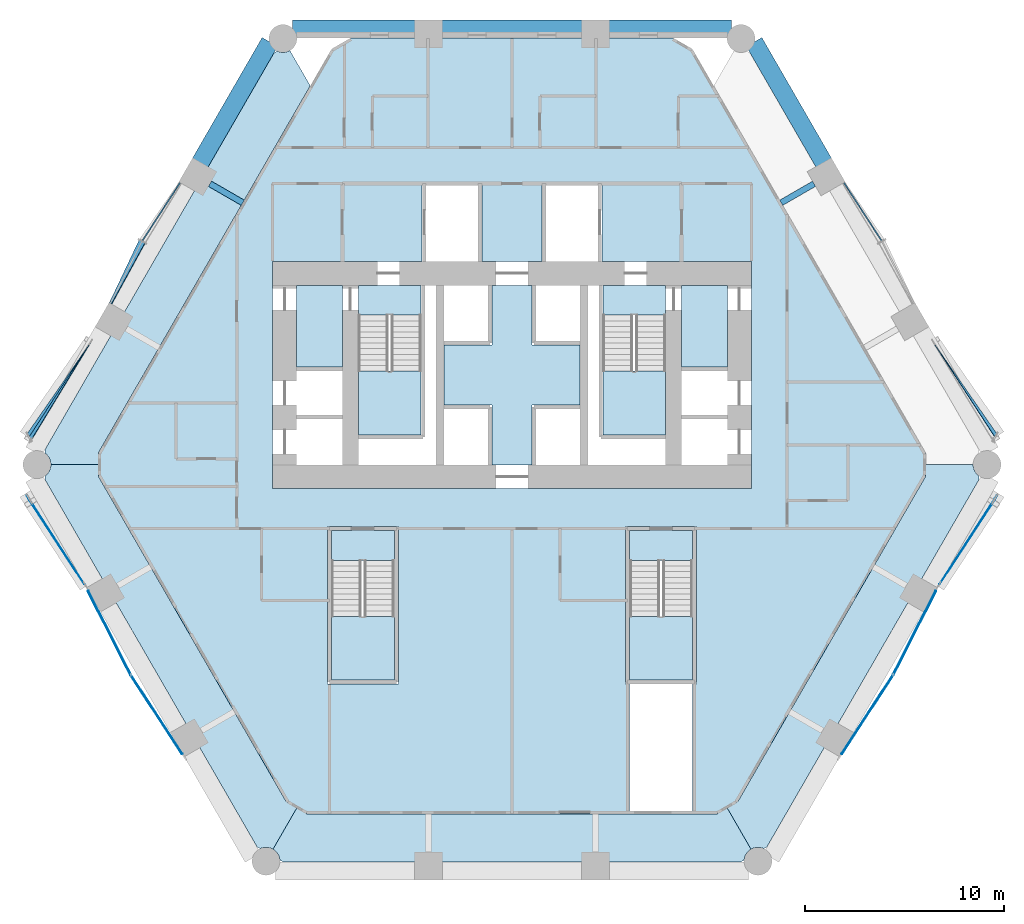
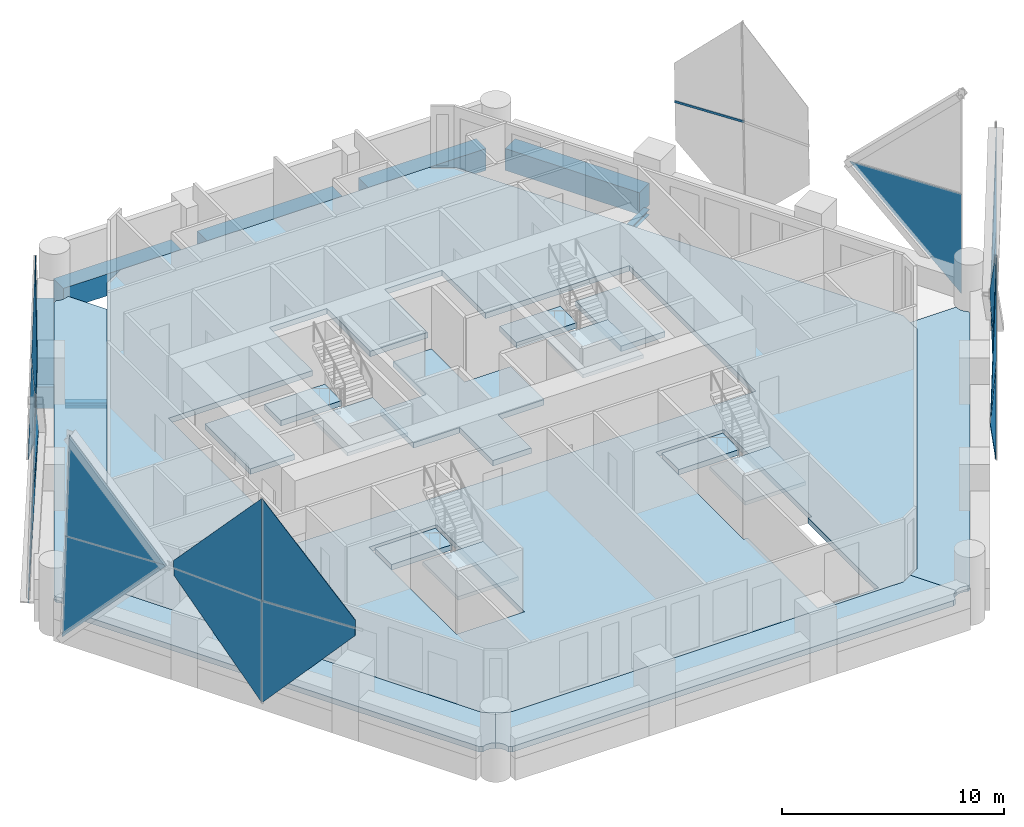
# One storey, part 7 of 16: 17 plates, 16 slabs, 7 beams, 2 members, 18 elements without a shape of their own.
"""IFC4 building model written with IfcOpenShell, lengths in metres."""

from ifc_helpers import new_model, si_unit, direction, frame, origin, origin_2d, place, context, subcontext, project, spatial, polyline, rectangle, hollow_rectangle, i_section, outline, extrude, material, layer, layer_set, material_profile, profile_set, type_object, element, aggregate, save


model = new_model("IFC4")

# Units and contexts
model_context = context("Model", 3, precision=1e-05, world=origin(), true_north=direction((0.0, 1.0)))
body_context = subcontext(model_context, "Body", "Model", "MODEL_VIEW")
ifc_project = project(units=[si_unit("LENGTHUNIT", "METRE"), si_unit("AREAUNIT", "SQUARE_METRE"), si_unit("VOLUMEUNIT", "CUBIC_METRE"), si_unit("PLANEANGLEUNIT", "RADIAN"), si_unit("MASSUNIT", "GRAM", prefix="KILO")], contexts=[model_context])

# Site, building, storey
site_placement = place(None, origin())
site = spatial("IfcSite", under=ifc_project, at=site_placement, CompositionType="ELEMENT")
building_placement = place(site_placement, origin())
building = spatial("IfcBuilding", under=site, at=building_placement, Name="Ostrander Bayou Hotel Tower", CompositionType="ELEMENT")
storey_placement = place(building_placement, frame((0.0, 0.0, 58.0)))
storey = spatial("IfcBuildingStorey", under=building, at=storey_placement, Name="L14", CompositionType="ELEMENT", Elevation=58.0)

# Curtain wall, member
ifc_material_1 = material(Name="Aluminium and clear glass", Category="aluminium")
curtain_wall_type = type_object("IfcCurtainWallType", Name="CW-LAT lattice glazing", PredefinedType="NOTDEFINED", material=ifc_material_1)
curtain_wall_1_placement = place(storey_placement, origin())
curtain_wall_1 = element("IfcCurtainWall", 1, at=curtain_wall_1_placement, inside=storey, type_object=curtain_wall_type, Name="CW-LAT L14 NW 2", PredefinedType="NOTDEFINED")
ifc_material_2 = material(Name="Aluminium", Category="aluminium")
ifc_material_profile_1 = material_profile(ifc_material_2, hollow_rectangle(XDim=0.06005859375, YDim=0.1201171875, WallThickness=0.00390625, at=origin_2d()))
ifc_profile_set_1 = profile_set([ifc_material_profile_1], Name="Aluminium")
member_type = type_object("IfcMemberType", Name="CW-LA transom 60 x 120 mm", PredefinedType="USERDEFINED", material=ifc_profile_set_1)
member_1_placement = place(storey_placement, frame((-18.54638671875, 10.707763671875, 5.02490234375), z_axis=(0.544323783397, 0.838875210522, 0.0), x_axis=(-0.838875210522, 0.544323783397, 0.0)))
member_1 = element("IfcMember", 2, at=member_1_placement, type_object=member_type, Name="CW-LAT transom 3", ObjectType="TRANSOM", PredefinedType="USERDEFINED", context=body_context, shape_type="SweptSolid", body=[
    extrude(hollow_rectangle(XDim=0.06005859375, YDim=0.1201171875, WallThickness=0.00390625, at=origin_2d()), origin(), (0.0, 0.0, 1.0), 3.500244140625),
])

curtain_wall_2_placement = place(storey_placement, origin())
curtain_wall_2 = element("IfcCurtainWall", 3, at=curtain_wall_2_placement, inside=storey, type_object=curtain_wall_type, Name="CW-LAT L14 NE 2", PredefinedType="NOTDEFINED")
member_2_placement = place(storey_placement, frame((18.54638671875, 10.707763671875, 5.02490234375), z_axis=(-0.544323783397, 0.838875210522, 0.0), x_axis=(-0.838875210522, -0.544323783397, 0.0)))
member_2 = element("IfcMember", 4, at=member_2_placement, type_object=member_type, Name="CW-LAT transom 7", ObjectType="TRANSOM", PredefinedType="USERDEFINED", context=body_context, shape_type="SweptSolid", body=[
    extrude(hollow_rectangle(XDim=0.06005859375, YDim=0.1201171875, WallThickness=0.00390625, at=origin_2d()), origin(), (0.0, 0.0, 1.0), 3.500244140625),
])
aggregate(curtain_wall_2, [member_2])

# Beams
ifc_material_3 = material(Name="Steel ASTM A992", Category="steel")
ifc_material_profile_2 = material_profile(ifc_material_3, i_section(OverallWidth=0.3046875, OverallDepth=0.307861328125, WebThickness=0.010009765625, FlangeThickness=0.015380859375, at=origin_2d()))
ifc_profile_set_2 = profile_set([ifc_material_profile_2], Name="Steel ASTM A992")
beam_type_1 = type_object("IfcBeamType", Name="LB1 loggia bracket W12x65", PredefinedType="BEAM", material=ifc_profile_set_2)
for number, where, z_axis, x_axis, name in (
    (5, (-15.14404296875, 13.587890625, -0.453857421875), (0.866044365799, -0.499967155389, 0.0), (0.499967155389, 0.866044365799, 0.0), "LB1 L14 NW1"),
    (6, (15.14404296875, 13.587890625, -0.453857421875), (-0.866044365799, -0.499967155389, 0.0), (0.499967155389, -0.866044365799, 0.0), "LB1 L14 NE2"),
):
    element("IfcBeam", number, at=place(storey_placement, frame(where, z_axis=z_axis, x_axis=x_axis)), inside=storey, type_object=beam_type_1, Name=name, PredefinedType="BEAM", context=body_context, shape_type="SweptSolid", body=[
        extrude(i_section(OverallWidth=0.3046875, OverallDepth=0.307861328125, WebThickness=0.010009765625, FlangeThickness=0.015380859375, at=origin_2d()), origin(), (0.0, 0.0, 1.0), 1.900146484375),
    ])
ifc_material_4 = material(Name="Concrete f'c 70 MPa", Category="concrete")
ifc_material_profile_3 = material_profile(ifc_material_4, rectangle(XDim=0.89990234375, YDim=1.199951171875, at=origin_2d()))
ifc_profile_set_3 = profile_set([ifc_material_profile_3], Name="Concrete f'c 70 MPa")
beam_type_2 = type_object("IfcBeamType", Name="SP1 spandrel beam 900 x 1200 mm f'c 70 MPa", PredefinedType="SPANDREL", material=ifc_profile_set_3)
beam_1_placement = place(storey_placement, frame((11.002197265625, 21.35009765625, -0.60009765625), z_axis=(-1.0, 0.0, 0.0), x_axis=(0.0, -1.0, 0.0)))
element("IfcBeam", 7, at=beam_1_placement, inside=storey, type_object=beam_type_2, Name="SP1 L14 N-1", PredefinedType="SPANDREL", context=body_context, shape_type="SweptSolid", body=[
    extrude(rectangle(XDim=0.89990234375, YDim=1.199951171875, at=origin_2d()), origin(), (0.0, 0.0, 1.0), 6.13671875),
])
beam_2_placement = place(storey_placement, frame((3.525390625, 21.35009765625, -0.60009765625), z_axis=(-1.0, 0.0, 0.0), x_axis=(0.0, -1.0, 0.0)))
element("IfcBeam", 8, at=beam_2_placement, inside=storey, type_object=beam_type_2, Name="SP1 L14 N-2", PredefinedType="SPANDREL", context=body_context, shape_type="SweptSolid", body=[
    extrude(rectangle(XDim=0.89990234375, YDim=1.199951171875, at=origin_2d()), origin(), (0.0, 0.0, 1.0), 7.05078125),
])
beam_3_placement = place(storey_placement, frame((-4.865478515625, 21.35009765625, -0.60009765625), z_axis=(-1.0, 0.0, 0.0), x_axis=(0.0, -1.0, 0.0)))
element("IfcBeam", 9, at=beam_3_placement, inside=storey, type_object=beam_type_2, Name="SP1 L14 N-3", PredefinedType="SPANDREL", context=body_context, shape_type="SweptSolid", body=[
    extrude(rectangle(XDim=0.89990234375, YDim=1.199951171875, at=origin_2d()), origin(), (0.0, 0.0, 1.0), 6.13671875),
])
for number, where, z_axis, x_axis, name in (
    (10, (-12.13818359375, 20.694091796875, -0.60009765625), (-0.500009789943, -0.866019751484, 0.0), (0.866019751484, -0.500009789943, 0.0), "SP1 L14 NW-1"),
    (11, (15.6318359375, 14.64306640625, -0.60009765625), (-0.500009789943, 0.866019751484, 0.0), (-0.866019751484, -0.500009789943, 0.0), "SP1 L14 NE-3"),
):
    element("IfcBeam", number, at=place(storey_placement, frame(where, z_axis=z_axis, x_axis=x_axis)), inside=storey, type_object=beam_type_2, Name=name, PredefinedType="SPANDREL", context=body_context, shape_type="SweptSolid", body=[
        extrude(rectangle(XDim=0.89990234375, YDim=1.199951171875, at=origin_2d()), origin(), (0.0, 0.0, 1.0), 6.987060546875),
    ])

# Curtain wall, plate
curtain_wall_3_placement = place(storey_placement, origin())
curtain_wall_3 = element("IfcCurtainWall", 12, at=curtain_wall_3_placement, inside=storey, type_object=curtain_wall_type, Name="CW-LAT L14 NW 3", PredefinedType="NOTDEFINED")
ifc_material_5 = material(Name="Clear laminated glass", Category="glass")
ifc_layer_1 = layer(ifc_material_5, 0.028076171875)
ifc_layer_set_1 = layer_set([ifc_layer_1], Name="CW-LA glazing panel 28 mm")
plate_type = type_object("IfcPlateType", Name="CW-LA glazing panel 28 mm", PredefinedType="CURTAIN_PANEL", material=ifc_layer_set_1)
plate_1_placement = place(storey_placement, frame((-20.18798828125, 7.627197265625, 2.864501953125), z_axis=(-0.890449904236, 0.454154580956, 0.029027308574), x_axis=(0.304570938034, 0.642128868332, -0.703496311405)))
plate_1 = element("IfcPlate", 13, at=plate_1_placement, type_object=plate_type, Name="CW-LAT panel 3", PredefinedType="CURTAIN_PANEL", context=body_context, shape_type="SweptSolid", body=[
    extrude(outline(polyline([(0.0, 0.0), (4.924827936993829, 0.0), (0.958271042073952, -3.9917153619783106), (-1.5211477520516903, -1.5353765067003706), (0.0, 0.0)])), origin(), (0.0, 0.0, -1.0), 0.028076171875),
])
aggregate(curtain_wall_3, [plate_1])

curtain_wall_4_placement = place(storey_placement, origin())
curtain_wall_4 = element("IfcCurtainWall", 14, at=curtain_wall_4_placement, inside=storey, type_object=curtain_wall_type, Name="CW-LAT L14 NW 4", PredefinedType="NOTDEFINED")
plate_2_placement = place(storey_placement, frame((-20.07861328125, 7.565185546875, 7.1865234375), z_axis=(-0.890450746762, 0.454150418702, 0.029066557811), x_axis=(0.340552118243, 0.622627858628, 0.704527362436)))
plate_2 = element("IfcPlate", 15, at=plate_2_placement, type_object=plate_type, Name="CW-LAT panel 4", PredefinedType="CURTAIN_PANEL", context=body_context, shape_type="SweptSolid", body=[
    extrude(outline(polyline([(0.0, 0.0), (4.915887817852404, 0.0), (0.9555384822610018, 3.9978828737748655), (-1.5228623513820005, 1.5354012039625133), (0.0, 0.0)])), origin(), (0.0, 0.0, -1.0), 0.028076171875),
])
aggregate(curtain_wall_4, [plate_2])

curtain_wall_5_placement = place(storey_placement, origin())
curtain_wall_5 = element("IfcCurtainWall", 16, at=curtain_wall_5_placement, inside=storey, type_object=curtain_wall_type, Name="CW-LAT L14 NW 1", PredefinedType="NOTDEFINED")
plate_3_placement = place(storey_placement, frame((-21.12353515625, 5.655029296875, 5.02490234375), z_axis=(-0.838537212342, 0.544023013641, 0.029904918417), x_axis=(-0.401228708939, -0.579443102872, -0.70940905947)))
plate_3 = element("IfcPlate", 17, at=plate_3_placement, type_object=plate_type, Name="CW-LAT panel 5", PredefinedType="CURTAIN_PANEL", context=body_context, shape_type="SweptSolid", body=[
    extrude(outline(polyline([(0.0, 0.0), (7.929134714186157, 0.0), (3.9955816473846104, 4.025353242106734), (0.0, 0.0)])), origin(), (0.0, 0.0, -1.0), 0.028076171875),
])
aggregate(curtain_wall_5, [plate_3])

# Plate
plate_4_placement = place(storey_placement, frame((-21.12353515625, 5.655029296875, 5.02490234375), z_axis=(-0.83853812444, 0.544023605388, 0.029868556061), x_axis=(-0.371713120223, -0.611304029252, 0.698667832431)))
plate_4 = element("IfcPlate", 18, at=plate_4_placement, type_object=plate_type, Name="CW-LAT panel 6", PredefinedType="CURTAIN_PANEL", context=body_context, shape_type="SweptSolid", body=[
    extrude(outline(polyline([(0.0, 0.0), (8.051036184717628, 0.0), (4.056065653857604, -3.9644006906785543), (0.0, 0.0)])), origin(), (0.0, 0.0, -1.0), 0.028076171875),
])

aggregate(curtain_wall_1, [member_1, plate_4])

# Curtain wall, plate
curtain_wall_6_placement = place(storey_placement, origin())
curtain_wall_6 = element("IfcCurtainWall", 19, at=curtain_wall_6_placement, inside=storey, type_object=curtain_wall_type, Name="CW-LAT L14 SW 3", PredefinedType="NOTDEFINED")
plate_5_placement = place(storey_placement, frame((-21.42626953125, -6.484619140625, 5.02490234375), z_axis=(0.838163536257, 0.545416089442, 0.001782095981), x_axis=(-0.372691399466, 0.575109830658, -0.728251195293)))
plate_5 = element("IfcPlate", 20, at=plate_5_placement, type_object=plate_type, Name="CW-LAT panel 1", PredefinedType="CURTAIN_PANEL", context=body_context, shape_type="SweptSolid", body=[
    extrude(outline(polyline([(0.0, 0.0), (7.723983202993046, 4.440892098500626e-16), (3.4982843021931385, 3.7174960999120765), (0.0, 0.0)])), origin(), (0.0, 0.0, -1.0), 0.028076171875),
])

curtain_wall_7_placement = place(storey_placement, origin())
curtain_wall_7 = element("IfcCurtainWall", 21, at=curtain_wall_7_placement, inside=storey, type_object=curtain_wall_type, Name="CW-LAT L14 SW 4", PredefinedType="NOTDEFINED")
plate_6_placement = place(storey_placement, frame((-21.42626953125, -6.484619140625, 5.02490234375), z_axis=(0.838163445048, 0.54541603009, 0.001842146979), x_axis=(-0.360077811441, 0.55080336123, 0.752967215067)))
plate_6 = element("IfcPlate", 22, at=plate_6_placement, type_object=plate_type, Name="CW-LAT panel 2", PredefinedType="CURTAIN_PANEL", context=body_context, shape_type="SweptSolid", body=[
    extrude(outline(polyline([(0.0, 0.0), (7.470444778263816, 4.440892098500626e-16), (3.3591690105541843, -3.8436641203888833), (0.0, 0.0)])), origin(), (0.0, 0.0, -1.0), 0.028076171875),
])

curtain_wall_8_placement = place(storey_placement, origin())
curtain_wall_8 = element("IfcCurtainWall", 23, at=curtain_wall_8_placement, inside=storey, type_object=curtain_wall_type, Name="CW-LAT L14 SW 1", PredefinedType="NOTDEFINED")
plate_7_placement = place(storey_placement, frame((-21.254638671875, -6.822021484375, 4.60791015625), z_axis=(-0.891452688064, -0.453113788074, 0.0), x_axis=(0.304490944311, -0.599053213435, -0.740554192686)))
plate_7 = element("IfcPlate", 24, at=plate_7_placement, type_object=plate_type, Name="CW-LAT panel 3", PredefinedType="CURTAIN_PANEL", context=body_context, shape_type="SweptSolid", body=[
    extrude(outline(polyline([(0.0, 0.0), (7.032581631342296, 0.0), (2.866964297481216, 3.77998111474596), (-0.30880531277060436, 0.2802173499993967), (0.0, 0.0)])), origin(), (0.0, 0.0, -1.0), 0.028076171875),
])
aggregate(curtain_wall_8, [plate_7])

curtain_wall_9_placement = place(storey_placement, origin())
curtain_wall_9 = element("IfcCurtainWall", 25, at=curtain_wall_9_placement, inside=storey, type_object=curtain_wall_type, Name="CW-LAT L14 SW 2", PredefinedType="NOTDEFINED")
plate_8_placement = place(storey_placement, frame((-21.254638671875, -6.822021484375, 5.442138671875), z_axis=(0.891452688064, 0.453113788074, 0.0), x_axis=(0.304498772532, -0.599068614618, 0.740538515208)))
plate_8 = element("IfcPlate", 26, at=plate_8_placement, type_object=plate_type, Name="CW-LAT panel 4", PredefinedType="CURTAIN_PANEL", context=body_context, shape_type="SweptSolid", body=[
    extrude(outline(polyline([(0.0, 0.0), (7.032400833892577, 0.0), (2.8668716858502252, 3.7800782950634186), (-0.308979570920329, 0.28038862006351484), (0.0, 0.0)])), origin(), (0.0, 0.0, -1.0), 0.028076171875),
])
aggregate(curtain_wall_9, [plate_8])

# Plate
plate_9_placement = place(storey_placement, frame((-16.53466796875, -14.997314453125, 4.609375), z_axis=(0.838148526408, 0.545442066292, 0.0), x_axis=(-0.366550772828, 0.563256868301, -0.740528346014)))
plate_9 = element("IfcPlate", 27, at=plate_9_placement, type_object=plate_type, Name="CW-LAT panel 5", PredefinedType="CURTAIN_PANEL", context=body_context, shape_type="SweptSolid", body=[
    extrude(outline(polyline([(0.0, 0.0), (7.034805195896388, -4.440892098500626e-16), (2.8693332495659156, 3.7801413286190533), (-0.3077097765909056, 0.2792448151610082), (0.0, 0.0)])), origin(), (0.0, 0.0, -1.0), 0.028076171875),
])

aggregate(curtain_wall_6, [plate_5, plate_9])

plate_10_placement = place(storey_placement, frame((-16.53466796875, -14.997314453125, 5.440673828125), z_axis=(-0.838148526408, -0.545442066292, 0.0), x_axis=(-0.36656019325, 0.563271344106, 0.740512672162)))
plate_10 = element("IfcPlate", 28, at=plate_10_placement, type_object=plate_type, Name="CW-LAT panel 6", PredefinedType="CURTAIN_PANEL", context=body_context, shape_type="SweptSolid", body=[
    extrude(outline(polyline([(0.0, 0.0), (7.03462440475645, 0.0), (2.869240623842974, 3.7802384789458667), (-0.307884052903457, 0.2794160646547227), (0.0, 0.0)])), origin(), (0.0, 0.0, -1.0), 0.028076171875),
])

aggregate(curtain_wall_7, [plate_6, plate_10])

# Curtain wall, plate
curtain_wall_10_placement = place(storey_placement, origin())
curtain_wall_10 = element("IfcCurtainWall", 29, at=curtain_wall_10_placement, inside=storey, type_object=curtain_wall_type, Name="CW-LAT L14 SE 1", PredefinedType="NOTDEFINED")
plate_11_placement = place(storey_placement, frame((16.53466796875, -14.997314453125, 4.609375), z_axis=(0.838148526408, -0.545442066292, 0.0), x_axis=(0.366550772828, 0.563256868301, -0.740528346014)))
plate_11 = element("IfcPlate", 30, at=plate_11_placement, type_object=plate_type, Name="CW-LAT panel 1", PredefinedType="CURTAIN_PANEL", context=body_context, shape_type="SweptSolid", body=[
    extrude(outline(polyline([(0.0, 0.0), (7.034805195896388, -4.440892098500626e-16), (2.8693332495659156, 3.7801413286190533), (-0.3077097765909056, 0.2792448151610082), (0.0, 0.0)])), origin(), (0.0, 0.0, -1.0), 0.028076171875),
])

curtain_wall_11_placement = place(storey_placement, origin())
curtain_wall_11 = element("IfcCurtainWall", 31, at=curtain_wall_11_placement, inside=storey, type_object=curtain_wall_type, Name="CW-LAT L14 SE 2", PredefinedType="NOTDEFINED")
plate_12_placement = place(storey_placement, frame((16.53466796875, -14.997314453125, 5.440673828125), z_axis=(-0.838148526408, 0.545442066292, 0.0), x_axis=(0.36656019325, 0.563271344106, 0.740512672162)))
plate_12 = element("IfcPlate", 32, at=plate_12_placement, type_object=plate_type, Name="CW-LAT panel 2", PredefinedType="CURTAIN_PANEL", context=body_context, shape_type="SweptSolid", body=[
    extrude(outline(polyline([(0.0, 0.0), (7.03462440475645, 0.0), (2.869240623842974, 3.7802384789458667), (-0.307884052903457, 0.2794160646547227), (0.0, 0.0)])), origin(), (0.0, 0.0, -1.0), 0.028076171875),
])

curtain_wall_12_placement = place(storey_placement, origin())
curtain_wall_12 = element("IfcCurtainWall", 33, at=curtain_wall_12_placement, inside=storey, type_object=curtain_wall_type, Name="CW-LAT L14 SE 3", PredefinedType="NOTDEFINED")
plate_13_placement = place(storey_placement, frame((21.254638671875, -6.822021484375, 4.60791015625), z_axis=(-0.891452688064, 0.453113788074, 0.0), x_axis=(-0.304490944311, -0.599053213435, -0.740554192686)))
plate_13 = element("IfcPlate", 34, at=plate_13_placement, type_object=plate_type, Name="CW-LAT panel 3", PredefinedType="CURTAIN_PANEL", context=body_context, shape_type="SweptSolid", body=[
    extrude(outline(polyline([(0.0, 0.0), (7.032581631342296, 0.0), (2.866964297481216, 3.77998111474596), (-0.30880531277060436, 0.2802173499993967), (0.0, 0.0)])), origin(), (0.0, 0.0, -1.0), 0.028076171875),
])
aggregate(curtain_wall_12, [plate_13])

curtain_wall_13_placement = place(storey_placement, origin())
curtain_wall_13 = element("IfcCurtainWall", 35, at=curtain_wall_13_placement, inside=storey, type_object=curtain_wall_type, Name="CW-LAT L14 SE 4", PredefinedType="NOTDEFINED")
plate_14_placement = place(storey_placement, frame((21.254638671875, -6.822021484375, 5.442138671875), z_axis=(0.891452688064, -0.453113788074, 0.0), x_axis=(-0.304498772532, -0.599068614618, 0.740538515208)))
plate_14 = element("IfcPlate", 36, at=plate_14_placement, type_object=plate_type, Name="CW-LAT panel 4", PredefinedType="CURTAIN_PANEL", context=body_context, shape_type="SweptSolid", body=[
    extrude(outline(polyline([(0.0, 0.0), (7.032400833892577, 0.0), (2.8668716858502252, 3.7800782950634186), (-0.308979570920329, 0.28038862006351484), (0.0, 0.0)])), origin(), (0.0, 0.0, -1.0), 0.028076171875),
])
aggregate(curtain_wall_13, [plate_14])

# Plate
plate_15_placement = place(storey_placement, frame((21.42626953125, -6.484619140625, 5.02490234375), z_axis=(-0.838163536257, 0.545416089442, 0.001782095981), x_axis=(0.372691399466, 0.575109830658, -0.728251195293)))
plate_15 = element("IfcPlate", 37, at=plate_15_placement, type_object=plate_type, Name="CW-LAT panel 5", PredefinedType="CURTAIN_PANEL", context=body_context, shape_type="SweptSolid", body=[
    extrude(outline(polyline([(0.0, 0.0), (7.723983202993046, -4.440892098500626e-16), (3.4982843021931385, -3.7174960999120765), (0.0, 0.0)])), origin(), (0.0, 0.0, -1.0), 0.028076171875),
])

aggregate(curtain_wall_10, [plate_11, plate_15])

plate_16_placement = place(storey_placement, frame((21.42626953125, -6.484619140625, 5.02490234375), z_axis=(-0.838163445048, 0.54541603009, 0.001842146979), x_axis=(0.360077811441, 0.55080336123, 0.752967215067)))
plate_16 = element("IfcPlate", 38, at=plate_16_placement, type_object=plate_type, Name="CW-LAT panel 6", PredefinedType="CURTAIN_PANEL", context=body_context, shape_type="SweptSolid", body=[
    extrude(outline(polyline([(0.0, 0.0), (7.470444778263816, -4.440892098500626e-16), (3.3591690105541843, 3.8436641203888833), (0.0, 0.0)])), origin(), (0.0, 0.0, -1.0), 0.028076171875),
])

aggregate(curtain_wall_11, [plate_12, plate_16])

# Curtain wall, plate
curtain_wall_14_placement = place(storey_placement, origin())
curtain_wall_14 = element("IfcCurtainWall", 39, at=curtain_wall_14_placement, inside=storey, type_object=curtain_wall_type, Name="CW-LAT L14 NE 3", PredefinedType="NOTDEFINED")
plate_17_placement = place(storey_placement, frame((21.12353515625, 5.655029296875, 5.02490234375), z_axis=(0.838537212342, 0.544023013641, 0.029904918417), x_axis=(0.401228708939, -0.579443102872, -0.70940905947)))
plate_17 = element("IfcPlate", 40, at=plate_17_placement, type_object=plate_type, Name="CW-LAT panel 1", PredefinedType="CURTAIN_PANEL", context=body_context, shape_type="SweptSolid", body=[
    extrude(outline(polyline([(0.0, 0.0), (7.929134714186157, 0.0), (3.9955816473846104, -4.025353242106734), (0.0, 0.0)])), origin(), (0.0, 0.0, -1.0), 0.028076171875),
])
aggregate(curtain_wall_14, [plate_17])

# Slabs
ifc_material_6 = material(Name="Concrete f'c 40 MPa", Category="concrete")
ifc_layer_2 = layer(ifc_material_6, 0.300048828125)
ifc_layer_set_2 = layer_set([ifc_layer_2], Name="SL1 floor slab 300 mm f'c 40 MPa")
slab_type_1 = type_object("IfcSlabType", Name="SL1 floor slab 300 mm f'c 40 MPa", PredefinedType="FLOOR", material=ifc_layer_set_2)
slab_1_placement = place(storey_placement, frame((0.0, 0.0, -0.300048828125)))
element("IfcSlab", 41, at=slab_1_placement, inside=storey, type_object=slab_type_1, Name="SL1 L14 1", PredefinedType="FLOOR", context=body_context, shape_type="SweptSolid", body=[
    extrude(outline(polyline([(-3.525390625, 20.89990234375), (3.525390625, 20.89990234375), (4.865478515625, 20.89990234375), (8.03564453125, 20.89990234375), (9.07470703125, 20.300048828125), (20.732177734375, 0.10888671875), (20.732177734375, -1.091064453125), (11.310791015625, -17.408935546875), (10.271484375, -18.009033203125), (-10.271484375, -18.009033203125), (-11.310791015625, -17.408935546875), (-20.732177734375, -1.091064453125), (-20.732177734375, 0.10888671875), (-9.07470703125, 20.300048828125), (-8.03564453125, 20.89990234375), (-4.865478515625, 20.89990234375), (-3.525390625, 20.89990234375)]), holes=[polyline([(-12.0, -1.699951171875), (12.0, -1.699951171875), (12.0, 9.699951171875), (4.5, 9.699951171875), (4.5, 13.60009765625), (1.5, 13.60009765625), (1.5, 9.699951171875), (-1.5, 9.699951171875), (-1.5, 13.60009765625), (-4.5, 13.60009765625), (-4.5, 9.699951171875), (-12.0, 9.699951171875), (-12.0, -1.699951171875)]), polyline([(9.050048828125, -11.5), (9.25, -11.5), (9.25, -3.60009765625), (5.699951171875, -3.60009765625), (5.699951171875, -11.5), (5.89990234375, -11.5), (5.89990234375, -17.85888671875), (9.050048828125, -17.85888671875), (9.050048828125, -11.5)]), polyline([(-5.699951171875, -3.60009765625), (-9.25, -3.60009765625), (-9.25, -11.5), (-5.699951171875, -11.5), (-5.699951171875, -3.60009765625)])]), origin(), (0.0, 0.0, 1.0), 0.300048828125),
])
slab_2_placement = place(storey_placement, frame((0.0, 0.0, -0.300048828125)))
element("IfcSlab", 42, at=slab_2_placement, inside=storey, type_object=slab_type_1, Name="cslab:L14:001", PredefinedType="FLOOR", context=body_context, shape_type="SweptSolid", body=[
    extrude(outline(polyline([(-3.39990234375, 5.5), (-1.0, 5.5), (-1.0, 8.5), (1.0, 8.5), (1.0, 5.5), (3.39990234375, 5.5), (3.39990234375, 2.5), (1.0, 2.5), (1.0, -0.5), (-1.0, -0.5), (-1.0, 2.5), (-3.39990234375, 2.5), (-3.39990234375, 5.5)])), origin(), (0.0, 0.0, 1.0), 0.300048828125),
])
slab_3_placement = place(storey_placement, frame((0.0, 0.0, -0.300048828125)))
element("IfcSlab", 43, at=slab_3_placement, inside=storey, type_object=slab_type_1, Name="cslab:L14:002", PredefinedType="FLOOR", context=body_context, shape_type="SweptSolid", body=[
    extrude(outline(polyline([(-8.5, 4.39990234375), (-8.5, 8.5), (-10.800048828125, 8.5), (-10.800048828125, 4.39990234375), (-8.5, 4.39990234375)])), origin(), (0.0, 0.0, 1.0), 0.300048828125),
])
slab_4_placement = place(storey_placement, frame((0.0, 0.0, -0.300048828125)))
element("IfcSlab", 44, at=slab_4_placement, inside=storey, type_object=slab_type_1, Name="cslab:L14:003", PredefinedType="FLOOR", context=body_context, shape_type="SweptSolid", body=[
    extrude(outline(polyline([(10.800048828125, 4.39990234375), (10.800048828125, 8.5), (8.5, 8.5), (8.5, 4.39990234375), (10.800048828125, 4.39990234375)])), origin(), (0.0, 0.0, 1.0), 0.300048828125),
])
slab_5_placement = place(storey_placement, frame((0.0, 0.0, -0.300048828125)))
element("IfcSlab", 45, at=slab_5_placement, inside=storey, type_object=slab_type_1, Name="cslab:L14:004", PredefinedType="FLOOR", context=body_context, shape_type="SweptSolid", body=[
    extrude(outline(polyline([(-4.550048828125, 7.0), (-4.550048828125, 8.5), (-7.699951171875, 8.5), (-7.699951171875, 7.0), (-4.550048828125, 7.0)])), origin(), (0.0, 0.0, 1.0), 0.300048828125),
])
slab_6_placement = place(storey_placement, frame((0.0, 0.0, -0.300048828125)))
element("IfcSlab", 46, at=slab_6_placement, inside=storey, type_object=slab_type_1, Name="cslab:L14:005", PredefinedType="FLOOR", context=body_context, shape_type="SweptSolid", body=[
    extrude(outline(polyline([(7.699951171875, 7.0), (7.699951171875, 8.5), (4.550048828125, 8.5), (4.550048828125, 7.0), (7.699951171875, 7.0)])), origin(), (0.0, 0.0, 1.0), 0.300048828125),
])
slab_7_placement = place(storey_placement, frame((0.0, 0.0, -0.300048828125)))
element("IfcSlab", 47, at=slab_7_placement, inside=storey, type_object=slab_type_1, Name="cslab:L14:006", PredefinedType="FLOOR", context=body_context, shape_type="SweptSolid", body=[
    extrude(outline(polyline([(9.050048828125, -5.300048828125), (9.050048828125, -3.800048828125), (5.89990234375, -3.800048828125), (5.89990234375, -5.300048828125), (9.050048828125, -5.300048828125)])), origin(), (0.0, 0.0, 1.0), 0.300048828125),
])
slab_8_placement = place(storey_placement, frame((0.0, 0.0, -0.300048828125)))
element("IfcSlab", 48, at=slab_8_placement, inside=storey, type_object=slab_type_1, Name="cslab:L14:007", PredefinedType="FLOOR", context=body_context, shape_type="SweptSolid", body=[
    extrude(outline(polyline([(-5.89990234375, -5.300048828125), (-5.89990234375, -3.800048828125), (-9.050048828125, -3.800048828125), (-9.050048828125, -5.300048828125), (-5.89990234375, -5.300048828125)])), origin(), (0.0, 0.0, 1.0), 0.300048828125),
])
ifc_material_7 = material(Name="Concrete f'c 40 MPa", Category="concrete")
ifc_layer_3 = layer(ifc_material_7, 0.300048828125)
ifc_layer_set_3 = layer_set([ifc_layer_3], Name="SL4 loggia slab 300 mm f'c 40 MPa")
slab_type_2 = type_object("IfcSlabType", Name="SL4 loggia slab 300 mm f'c 40 MPa", PredefinedType="FLOOR", material=ifc_layer_set_3)
slab_9_placement = place(storey_placement, frame((0.0, 0.0, -0.300048828125)))
element("IfcSlab", 49, at=slab_9_placement, inside=storey, type_object=slab_type_2, Name="SL4 LOGGIA L14 NW 1", PredefinedType="FLOOR", context=body_context, shape_type="SweptSolid", body=[
    extrude(outline(polyline([(-23.11767578125, -0.490966796875), (-23.131103515625, -0.3544921875), (-23.1708984375, -0.22314453125), (-23.235595703125, -0.10205078125), (-23.32275390625, 0.00390625), (-23.416748046875, 0.081298828125), (-23.416748046875, 0.259033203125), (-19.4375, 7.1513671875), (-19.134033203125, 7.677001953125), (-11.9326171875, 20.14990234375), (-11.777587890625, 20.239501953125), (-11.751708984375, 20.2255859375), (-11.620361328125, 20.185791015625), (-11.483642578125, 20.172119140625), (-11.34716796875, 20.185791015625), (-11.2158203125, 20.2255859375), (-11.13525390625, 20.2685546875), (-10.114013671875, 18.5), (-20.732177734375, 0.10888671875), (-20.732177734375, -0.490966796875), (-23.11767578125, -0.490966796875)])), origin(), (0.0, 0.0, 1.0), 0.300048828125),
])
slab_10_placement = place(storey_placement, frame((0.0, 0.0, -0.300048828125)))
element("IfcSlab", 50, at=slab_10_placement, inside=storey, type_object=slab_type_2, Name="SL4 LOGGIA L14 SW 1", PredefinedType="FLOOR", context=body_context, shape_type="SweptSolid", body=[
    extrude(outline(polyline([(-10.791259765625, -17.708984375), (-11.985595703125, -19.777587890625), (-12.066162109375, -19.734619140625), (-12.197509765625, -19.694580078125), (-12.333984375, -19.681396484375), (-12.470703125, -19.694580078125), (-12.601806640625, -19.734619140625), (-12.628173828125, -19.74853515625), (-12.783203125, -19.658935546875), (-15.667236328125, -14.66357421875), (-16.337158203125, -13.503173828125), (-19.862548828125, -7.39697265625), (-20.53271484375, -6.236328125), (-23.416748046875, -1.240966796875), (-23.416748046875, -1.06298828125), (-23.32275390625, -0.98583984375), (-23.235595703125, -0.8798828125), (-23.1708984375, -0.7587890625), (-23.131103515625, -0.62744140625), (-23.11767578125, -0.490966796875), (-20.732177734375, -0.490966796875), (-20.732177734375, -1.091064453125), (-11.310791015625, -17.408935546875), (-10.791259765625, -17.708984375)])), origin(), (0.0, 0.0, 1.0), 0.300048828125),
])
slab_11_placement = place(storey_placement, frame((0.0, 0.0, -0.300048828125)))
element("IfcSlab", 51, at=slab_11_placement, inside=storey, type_object=slab_type_2, Name="SL4 LOGGIA L14 S 1", PredefinedType="FLOOR", context=body_context, shape_type="SweptSolid", body=[
    extrude(outline(polyline([(10.791259765625, -17.708984375), (11.985595703125, -19.777587890625), (11.945068359375, -19.79931640625), (11.839111328125, -19.88623046875), (11.751953125, -19.992431640625), (11.687255859375, -20.11328125), (11.6474609375, -20.24462890625), (11.64013671875, -20.31884765625), (11.48388671875, -20.408935546875), (4.865478515625, -20.408935546875), (3.525390625, -20.408935546875), (-3.525390625, -20.408935546875), (-4.865478515625, -20.408935546875), (-11.48388671875, -20.408935546875), (-11.64013671875, -20.31884765625), (-11.6474609375, -20.24462890625), (-11.687255859375, -20.11328125), (-11.751953125, -19.992431640625), (-11.839111328125, -19.88623046875), (-11.945068359375, -19.79931640625), (-11.985595703125, -19.777587890625), (-10.791259765625, -17.708984375), (-10.271484375, -18.009033203125), (10.271484375, -18.009033203125), (10.791259765625, -17.708984375)])), origin(), (0.0, 0.0, 1.0), 0.300048828125),
])
slab_12_placement = place(storey_placement, frame((0.0, 0.0, -0.300048828125)))
element("IfcSlab", 52, at=slab_12_placement, inside=storey, type_object=slab_type_2, Name="SL4 LOGGIA L14 SE 1", PredefinedType="FLOOR", context=body_context, shape_type="SweptSolid", body=[
    extrude(outline(polyline([(20.732177734375, -0.490966796875), (23.11767578125, -0.490966796875), (23.131103515625, -0.62744140625), (23.1708984375, -0.7587890625), (23.235595703125, -0.8798828125), (23.32275390625, -0.98583984375), (23.416748046875, -1.06298828125), (23.416748046875, -1.240966796875), (20.53271484375, -6.236328125), (19.862548828125, -7.39697265625), (16.337158203125, -13.503173828125), (15.667236328125, -14.66357421875), (12.783203125, -19.658935546875), (12.628173828125, -19.74853515625), (12.601806640625, -19.734619140625), (12.470703125, -19.694580078125), (12.333984375, -19.681396484375), (12.197509765625, -19.694580078125), (12.066162109375, -19.734619140625), (11.985595703125, -19.777587890625), (10.791259765625, -17.708984375), (11.310791015625, -17.408935546875), (20.732177734375, -1.091064453125), (20.732177734375, -0.490966796875)])), origin(), (0.0, 0.0, 1.0), 0.300048828125),
])

# Stair, slab
ifc_material_8 = material(Name="Concrete f'c 45 MPa", Category="concrete")
stair_type = type_object("IfcStairType", Name="ST1 exit stair 1500 mm f'c 45 MPa", PredefinedType="HALF_TURN_STAIR", material=ifc_material_8)
stair_1_placement = place(storey_placement, origin())
stair_1 = element("IfcStair", 53, at=stair_1_placement, inside=storey, type_object=stair_type, Name="L14 exit stair A", PredefinedType="HALF_TURN_STAIR")
ifc_material_9 = material(Name="Concrete f'c 45 MPa", Category="concrete")
ifc_layer_4 = layer(ifc_material_9, 0.199951171875)
ifc_layer_set_4 = layer_set([ifc_layer_4], Name="SL8 stair landing 200 mm f'c 45 MPa")
slab_type_3 = type_object("IfcSlabType", Name="SL8 stair landing 200 mm f'c 45 MPa", PredefinedType="LANDING", material=ifc_layer_set_4)
slab_13_placement = place(storey_placement, frame((0.0, 0.0, 1.675048828125)))
slab_13 = element("IfcSlab", 54, at=slab_13_placement, type_object=slab_type_3, Name="STA landing 1", PredefinedType="LANDING", context=body_context, shape_type="SweptSolid", body=[
    extrude(outline(polyline([(-7.699951171875, 4.199951171875), (-7.699951171875, 1.0), (-4.550048828125, 1.0), (-4.550048828125, 4.199951171875), (-7.699951171875, 4.199951171875)])), origin(), (0.0, 0.0, 1.0), 0.199951171875),
])
aggregate(stair_1, [slab_13])

stair_2_placement = place(storey_placement, origin())
stair_2 = element("IfcStair", 55, at=stair_2_placement, inside=storey, type_object=stair_type, Name="L14 exit stair B", PredefinedType="HALF_TURN_STAIR")
slab_14_placement = place(storey_placement, frame((0.0, 0.0, 1.675048828125)))
slab_14 = element("IfcSlab", 56, at=slab_14_placement, type_object=slab_type_3, Name="STB landing 1", PredefinedType="LANDING", context=body_context, shape_type="SweptSolid", body=[
    extrude(outline(polyline([(4.550048828125, 4.199951171875), (4.550048828125, 1.0), (7.699951171875, 1.0), (7.699951171875, 4.199951171875), (4.550048828125, 4.199951171875)])), origin(), (0.0, 0.0, 1.0), 0.199951171875),
])
aggregate(stair_2, [slab_14])

stair_3_placement = place(storey_placement, origin())
stair_3 = element("IfcStair", 57, at=stair_3_placement, inside=storey, type_object=stair_type, Name="L14 exit stair C", PredefinedType="HALF_TURN_STAIR")
slab_15_placement = place(storey_placement, frame((0.0, 0.0, 1.675048828125)))
slab_15 = element("IfcSlab", 58, at=slab_15_placement, type_object=slab_type_3, Name="STC landing 1", PredefinedType="LANDING", context=body_context, shape_type="SweptSolid", body=[
    extrude(outline(polyline([(5.89990234375, -8.10009765625), (5.89990234375, -11.300048828125), (9.050048828125, -11.300048828125), (9.050048828125, -8.10009765625), (5.89990234375, -8.10009765625)])), origin(), (0.0, 0.0, 1.0), 0.199951171875),
])
aggregate(stair_3, [slab_15])

stair_4_placement = place(storey_placement, origin())
stair_4 = element("IfcStair", 59, at=stair_4_placement, inside=storey, type_object=stair_type, Name="L14 exit stair D", PredefinedType="HALF_TURN_STAIR")
slab_16_placement = place(storey_placement, frame((0.0, 0.0, 1.675048828125)))
slab_16 = element("IfcSlab", 60, at=slab_16_placement, type_object=slab_type_3, Name="STD landing 1", PredefinedType="LANDING", context=body_context, shape_type="SweptSolid", body=[
    extrude(outline(polyline([(-9.050048828125, -8.10009765625), (-9.050048828125, -11.300048828125), (-5.89990234375, -11.300048828125), (-5.89990234375, -8.10009765625), (-9.050048828125, -8.10009765625)])), origin(), (0.0, 0.0, 1.0), 0.199951171875),
])
aggregate(stair_4, [slab_16])

save(model, "model.ifc")
